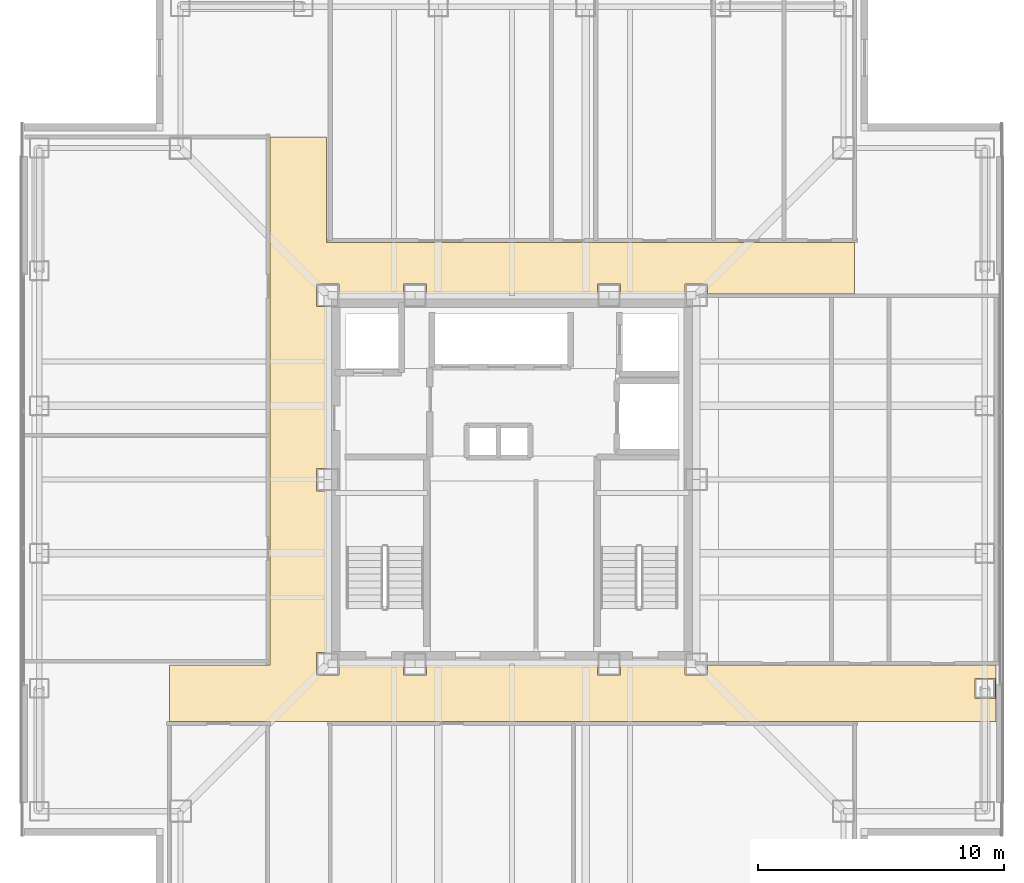
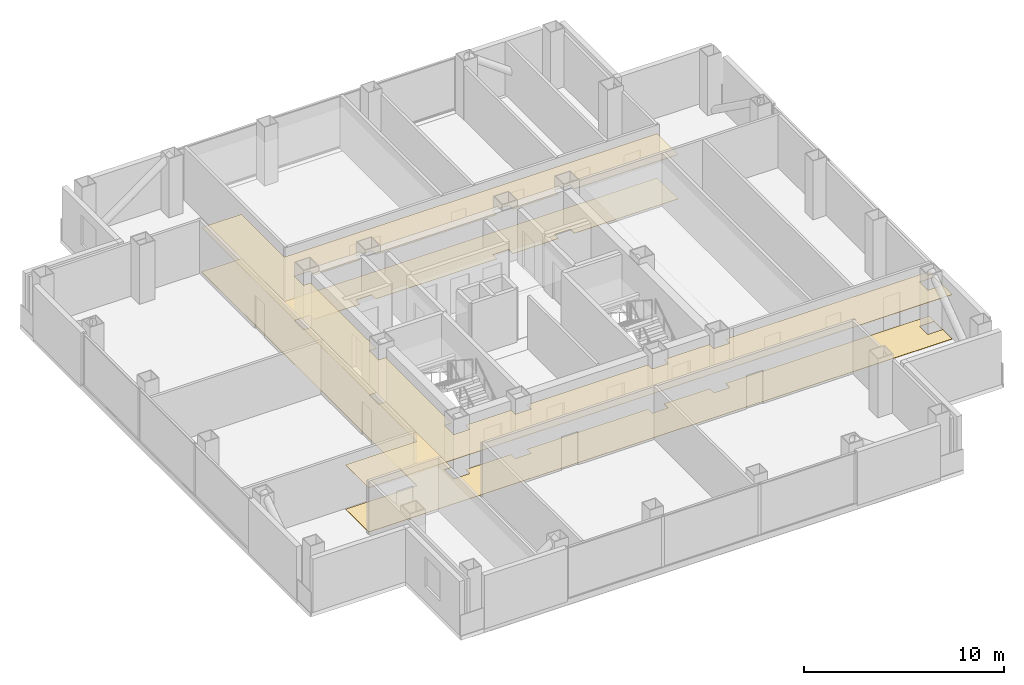
# One storey, part 14 of 16: 2 coverings.
"""IFC4 building model written with IfcOpenShell, lengths in metres."""

from ifc_helpers import new_model, si_unit, direction, frame, origin, place, context, subcontext, project, spatial, polyline, outline, extrude, material, layer, layer_set, type_object, element, save


model = new_model("IFC4")

# Units and contexts
model_context = context("Model", 3, precision=1e-05, world=origin(), true_north=direction((0.0, 1.0)))
body_context = subcontext(model_context, "Body", "Model", "MODEL_VIEW")
ifc_project = project(units=[si_unit("LENGTHUNIT", "METRE"), si_unit("AREAUNIT", "SQUARE_METRE"), si_unit("VOLUMEUNIT", "CUBIC_METRE"), si_unit("PLANEANGLEUNIT", "RADIAN"), si_unit("MASSUNIT", "GRAM", prefix="KILO")], contexts=[model_context])

# Site, building, storey
site_placement = place(None, origin())
site = spatial("IfcSite", under=ifc_project, at=site_placement, CompositionType="ELEMENT")
building_placement = place(site_placement, origin())
building = spatial("IfcBuilding", under=site, at=building_placement, Name="Trevonay Congress Spire", CompositionType="ELEMENT")
storey_placement = place(building_placement, frame((0.0, 0.0, 223.800048828125)))
storey = spatial("IfcBuildingStorey", under=building, at=storey_placement, Name="L58", CompositionType="ELEMENT", Elevation=223.800048828125)

# Coverings
ifc_material_1 = material(Name="Acoustic Mineral Fibre Board", Category="gypsum")
ifc_layer_1 = layer(ifc_material_1, 0.02490234375, Name="Acoustic Mineral Fibre Board")
ifc_layer_set_1 = layer_set([ifc_layer_1], Name="Acoustic Mineral Fibre Board")
covering_type_1 = type_object("IfcCoveringType", Name="COV-CEIL-ACOUSTIC", PredefinedType="CEILING", material=ifc_layer_set_1)
covering_1_placement = place(storey_placement, frame((0.0, 0.0, 2.699951171875)))
element("IfcCovering", 1, at=covering_1_placement, inside=storey, type_object=covering_type_1, Name="L58 Cruciform Boulevard Corridor acoustic suspended ceiling", PredefinedType="CEILING", context=body_context, shape_type="SweptSolid", body=[
    extrude(outline(polyline([(19.699951171875, -7.550048828125), (19.699951171875, -9.85009765625), (-13.949951171875, -9.85009765625), (-13.949951171875, -7.550048828125), (-9.85009765625, -7.550048828125), (-9.85009765625, 13.949951171875), (-7.550048828125, 13.949951171875), (-7.550048828125, 9.64990234375), (13.949951171875, 9.64990234375), (13.949951171875, 7.550048828125), (7.9599609375, 7.550048828125), (7.9599609375, 7.9599609375), (7.0400390625, 7.9599609375), (7.0400390625, 7.550048828125), (4.409912109375, 7.550048828125), (4.409912109375, 7.9599609375), (3.489990234375, 7.9599609375), (3.489990234375, 7.550048828125), (-3.489990234375, 7.550048828125), (-3.489990234375, 7.9599609375), (-4.409912109375, 7.9599609375), (-4.409912109375, 7.550048828125), (-7.0400390625, 7.550048828125), (-7.0400390625, 7.9599609375), (-7.9599609375, 7.9599609375), (-7.9599609375, 7.0400390625), (-7.550048828125, 7.0400390625), (-7.550048828125, 0.4599609375), (-7.9599609375, 0.4599609375), (-7.9599609375, -0.4599609375), (-7.550048828125, -0.4599609375), (-7.550048828125, -7.0400390625), (-7.9599609375, -7.0400390625), (-7.9599609375, -7.9599609375), (-7.0400390625, -7.9599609375), (-7.0400390625, -7.550048828125), (-4.409912109375, -7.550048828125), (-4.409912109375, -7.9599609375), (-3.489990234375, -7.9599609375), (-3.489990234375, -7.550048828125), (3.489990234375, -7.550048828125), (3.489990234375, -7.9599609375), (4.409912109375, -7.9599609375), (4.409912109375, -7.550048828125), (7.0400390625, -7.550048828125), (7.0400390625, -7.9599609375), (7.9599609375, -7.9599609375), (7.9599609375, -7.550048828125), (19.699951171875, -7.550048828125)]), holes=[polyline([(19.659912109375, -8.090087890625), (18.840087890625, -8.090087890625), (18.840087890625, -8.909912109375), (19.659912109375, -8.909912109375), (19.659912109375, -8.090087890625)])]), origin(), (0.0, 0.0, 1.0), 0.02490234375),
])
ifc_material_2 = material(Name="Polished Granite Floor Tile", Category="masonry")
ifc_layer_2 = layer(ifc_material_2, 0.02001953125, Name="Polished Granite Floor Tile")
ifc_layer_set_2 = layer_set([ifc_layer_2], Name="Polished Granite Floor Tile")
covering_type_2 = type_object("IfcCoveringType", Name="COV-FLOOR-STONE", PredefinedType="FLOORING", material=ifc_layer_set_2)
covering_2_placement = place(storey_placement, origin())
element("IfcCovering", 2, at=covering_2_placement, inside=storey, type_object=covering_type_2, Name="L58 Cruciform Boulevard Corridor floor finish", PredefinedType="FLOORING", context=body_context, shape_type="SweptSolid", body=[
    extrude(outline(polyline([(19.699951171875, -7.550048828125), (19.699951171875, -9.85009765625), (-13.949951171875, -9.85009765625), (-13.949951171875, -7.550048828125), (-9.85009765625, -7.550048828125), (-9.85009765625, 13.949951171875), (-7.550048828125, 13.949951171875), (-7.550048828125, 9.64990234375), (13.949951171875, 9.64990234375), (13.949951171875, 7.550048828125), (7.9599609375, 7.550048828125), (7.9599609375, 7.9599609375), (7.0400390625, 7.9599609375), (7.0400390625, 7.550048828125), (4.409912109375, 7.550048828125), (4.409912109375, 7.9599609375), (3.489990234375, 7.9599609375), (3.489990234375, 7.550048828125), (-3.489990234375, 7.550048828125), (-3.489990234375, 7.9599609375), (-4.409912109375, 7.9599609375), (-4.409912109375, 7.550048828125), (-7.0400390625, 7.550048828125), (-7.0400390625, 7.9599609375), (-7.9599609375, 7.9599609375), (-7.9599609375, 7.0400390625), (-7.550048828125, 7.0400390625), (-7.550048828125, 0.4599609375), (-7.9599609375, 0.4599609375), (-7.9599609375, -0.4599609375), (-7.550048828125, -0.4599609375), (-7.550048828125, -7.0400390625), (-7.9599609375, -7.0400390625), (-7.9599609375, -7.9599609375), (-7.0400390625, -7.9599609375), (-7.0400390625, -7.550048828125), (-4.409912109375, -7.550048828125), (-4.409912109375, -7.9599609375), (-3.489990234375, -7.9599609375), (-3.489990234375, -7.550048828125), (3.489990234375, -7.550048828125), (3.489990234375, -7.9599609375), (4.409912109375, -7.9599609375), (4.409912109375, -7.550048828125), (7.0400390625, -7.550048828125), (7.0400390625, -7.9599609375), (7.9599609375, -7.9599609375), (7.9599609375, -7.550048828125), (19.699951171875, -7.550048828125)]), holes=[polyline([(19.659912109375, -8.090087890625), (18.840087890625, -8.090087890625), (18.840087890625, -8.909912109375), (19.659912109375, -8.909912109375), (19.659912109375, -8.090087890625)])]), origin(), (0.0, 0.0, 1.0), 0.02001953125),
])

save(model, "model.ifc")
